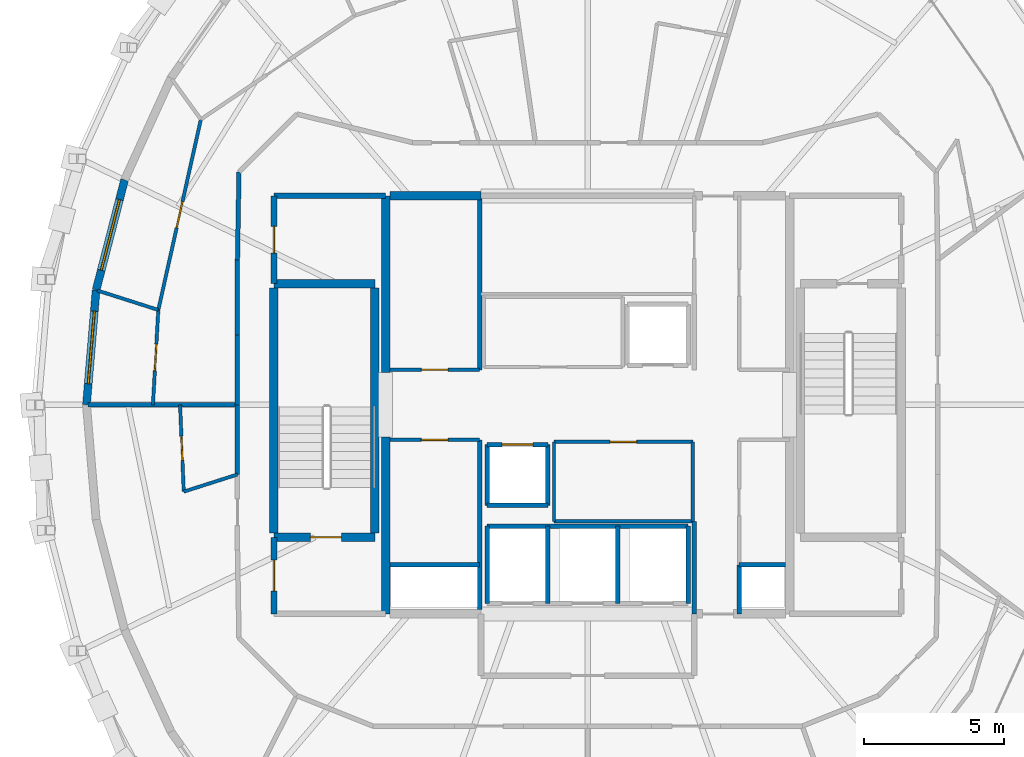
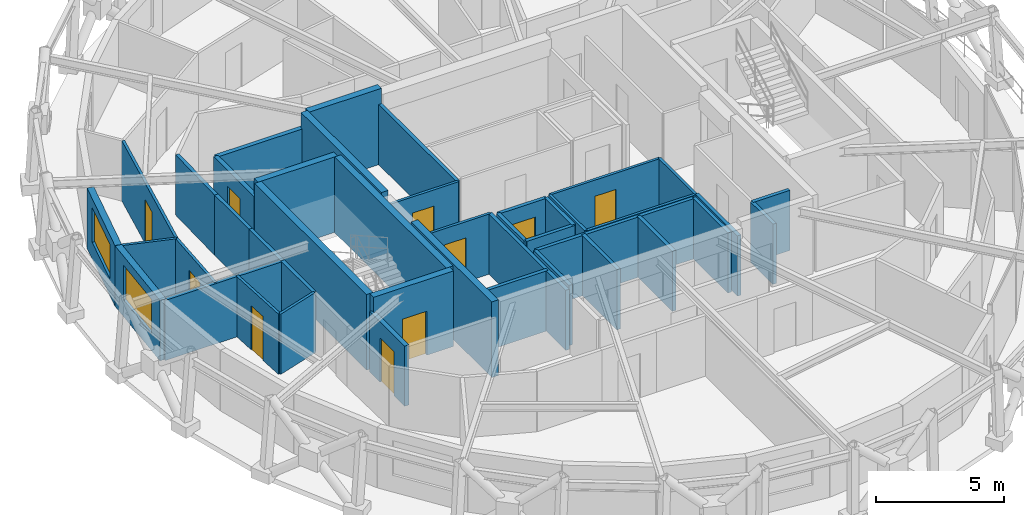
# One storey, part 12 of 15: 43 walls, 10 doors, 2 windows, 12 openings.
"""IFC4 building model written with IfcOpenShell, lengths in metres."""

from ifc_helpers import new_model, si_unit, direction, frame, frame_2d, origin, place, context, subcontext, project, spatial, rectangle, extrude, material, layer, layer_set, type_object, element, fill, save


model = new_model("IFC4")

# Units and contexts
model_context = context("Model", 3, precision=1e-05, world=origin(), true_north=direction((0.0, 1.0)))
body_context = subcontext(model_context, "Body", "Model", "MODEL_VIEW")
ifc_project = project(units=[si_unit("LENGTHUNIT", "METRE"), si_unit("AREAUNIT", "SQUARE_METRE"), si_unit("VOLUMEUNIT", "CUBIC_METRE"), si_unit("PLANEANGLEUNIT", "RADIAN"), si_unit("MASSUNIT", "GRAM", prefix="KILO")], contexts=[model_context])

# Site, building, storey
site_placement = place(None, origin())
site = spatial("IfcSite", under=ifc_project, at=site_placement, CompositionType="ELEMENT")
building_placement = place(site_placement, origin())
building = spatial("IfcBuilding", under=site, at=building_placement, Name="Veldorina Hangang Commons", CompositionType="ELEMENT")
storey_placement = place(building_placement, frame((0.0, 0.0, 290.39990234375)))
storey = spatial("IfcBuildingStorey", under=building, at=storey_placement, Name="L76", CompositionType="ELEMENT", Elevation=290.39990234375)

# Walls
ifc_material_1 = material(Name="Concrete C50/60", Category="concrete")
ifc_layer_1 = layer(ifc_material_1, 0.300048828125)
ifc_layer_set_1 = layer_set([ifc_layer_1], Name="Concrete C50/60")
wall_type_1 = type_object("IfcWallType", Name="CW-RC300-C50", PredefinedType="SHEAR", material=ifc_layer_set_1)
for number, where, z_axis, x_axis, name in (
    (1, (24.800048828125, 16.550048828125, 0.0), (0.0, 0.0, 1.0), (0.0, 1.0, 0.0), "L76 W south core shear wall"),
    (2, (24.800048828125, 25.14990234375, 0.0), (0.0, 0.0, 1.0), (0.0, 1.0, 0.0), "L76 W north core shear wall"),
):
    element("IfcWall", number, at=place(storey_placement, frame(where, z_axis=z_axis, x_axis=x_axis)), inside=storey, type_object=wall_type_1, Name=name, PredefinedType="SHEAR", context=body_context, shape_type="SweptSolid", body=[
        extrude(rectangle(XDim=6.300048828125, YDim=0.300048828125, at=frame_2d((3.14990234375, 0.0))), origin(), (0.0, 0.0, 1.0), 3.60009765625),
    ])
wall_1_placement = place(storey_placement, frame((24.949951171875, 31.449951171875, 0.0), z_axis=(0.0, 0.0, 1.0), x_axis=(1.0, 0.0, 0.0)))
element("IfcWall", 3, at=wall_1_placement, inside=storey, type_object=wall_type_1, Name="L76 north-west core shear wall", PredefinedType="SHEAR", context=body_context, shape_type="SweptSolid", body=[
    extrude(rectangle(XDim=3.25, YDim=0.300048828125, at=frame_2d((1.625, 0.0))), origin(), (0.0, 0.0, 1.0), 3.60009765625),
])

# Wall, opening, window
ifc_material_2 = material(Name="Stone Roman Travertine", Category="masonry")
ifc_layer_2 = layer(ifc_material_2, 0.280029296875)
ifc_layer_set_2 = layer_set([ifc_layer_2], Name="Stone Roman Travertine")
wall_type_2 = type_object("IfcWallType", Name="EW-TRAV-280", PredefinedType="STANDARD", material=ifc_layer_set_2)
wall_2_placement = place(storey_placement, frame((15.498291015625, 32.022705078125, 0.0), z_axis=(0.0, 0.0, 1.0), x_axis=(-0.250207014881, -0.968192361932, 0.0)))
wall_2 = element("IfcWall", 4, at=wall_2_placement, inside=storey, type_object=wall_type_2, Name="L76 travertine facade wall 14", PredefinedType="STANDARD", context=body_context, shape_type="SweptSolid", body=[
    extrude(rectangle(XDim=4.06201171875, YDim=0.280029296875, at=frame_2d((2.031005859375, 0.0))), origin(), (0.0, 0.0, 1.0), 2.880126953125),
])
opening_1_placement = place(wall_2_placement, frame((0.73095703125, 0.0, 0.800048828125)))
opening_1 = element("IfcOpeningElement", 5, at=opening_1_placement, cuts=wall_2, Name="Opening W-02", PredefinedType="OPENING", context=body_context, shape_type="SweptSolid", body=[
    extrude(rectangle(XDim=2.60009765625, YDim=1.64990234375, at=frame_2d((1.300048828125, 0.824951171875))), frame((0.0, 0.14990234375, 0.0), z_axis=(0.0, -1.0, 0.0), x_axis=(1.0, 0.0, 0.0)), (0.0, 0.0, 1.0), 0.300048828125),
])
ifc_material_3 = material(Name="Glass Low-E Triple IGU", Category="glass")
window_type = type_object("IfcWindowType", Name="WIN-TWR-2600", PartitioningType="SINGLE_PANEL", PredefinedType="WINDOW", material=ifc_material_3)
window_1_placement = place(opening_1_placement, origin())
window_1 = element("IfcWindow", 6, at=window_1_placement, inside=storey, type_object=window_type, Name="L76 facade window 14", OverallHeight=1.64990234375, OverallWidth=2.60009765625, PartitioningType="SINGLE_PANEL", PredefinedType="WINDOW", context=body_context, shape_type="SweptSolid", body=[
    extrude(rectangle(XDim=2.60009765625, YDim=1.64990234375, at=frame_2d((1.300048828125, 0.824951171875))), frame((0.0, 0.030029296875, 0.0), z_axis=(0.0, -1.0, 0.0), x_axis=(1.0, 0.0, 0.0)), (0.0, 0.0, 1.0), 0.06005859375),
])
fill(opening_1, window_1)

wall_3_placement = place(storey_placement, frame((14.48193359375, 28.08984375, 0.0), z_axis=(0.0, 0.0, 1.0), x_axis=(-0.083636215003, -0.996496354002, 0.0)))
wall_3 = element("IfcWall", 7, at=wall_3_placement, inside=storey, type_object=wall_type_2, Name="L76 travertine facade wall 15", PredefinedType="STANDARD", context=body_context, shape_type="SweptSolid", body=[
    extrude(rectangle(XDim=4.104248046875, YDim=0.280029296875, at=frame_2d((2.05224609375, 0.0))), origin(), (0.0, 0.0, 1.0), 2.880126953125),
])
opening_2_placement = place(wall_3_placement, frame((0.752197265625, 0.0, 0.800048828125)))
opening_2 = element("IfcOpeningElement", 8, at=opening_2_placement, cuts=wall_3, Name="Opening W-02", PredefinedType="OPENING", context=body_context, shape_type="SweptSolid", body=[
    extrude(rectangle(XDim=2.60009765625, YDim=1.64990234375, at=frame_2d((1.300048828125, 0.824951171875))), frame((0.0, 0.14990234375, 0.0), z_axis=(0.0, -1.0, 0.0), x_axis=(1.0, 0.0, 0.0)), (0.0, 0.0, 1.0), 0.300048828125),
])
window_2_placement = place(opening_2_placement, origin())
window_2 = element("IfcWindow", 9, at=window_2_placement, inside=storey, type_object=window_type, Name="L76 facade window 15", OverallHeight=1.64990234375, OverallWidth=2.60009765625, PartitioningType="SINGLE_PANEL", PredefinedType="WINDOW", context=body_context, shape_type="SweptSolid", body=[
    extrude(rectangle(XDim=2.60009765625, YDim=1.64990234375, at=frame_2d((1.300048828125, 0.824951171875))), frame((0.0, 0.030029296875, 0.0), z_axis=(0.0, -1.0, 0.0), x_axis=(1.0, 0.0, 0.0)), (0.0, 0.0, 1.0), 0.06005859375),
])
fill(opening_2, window_2)

# Walls
ifc_layer_3 = layer(ifc_material_1, 0.300048828125)
ifc_layer_set_3 = layer_set([ifc_layer_3], Name="Concrete C50/60")
wall_type_3 = type_object("IfcWallType", Name="SW-STAIR-300", PredefinedType="SHEAR", material=ifc_layer_set_3)
for number, where, z_axis, x_axis, name in (
    (10, (20.820068359375, 19.429931640625, 0.0), (0.0, 0.0, 1.0), (0.0, 1.0, 0.0), "L76 ST1 outer stair shear wall"),
    (11, (24.419921875, 19.429931640625, 0.0), (0.0, 0.0, 1.0), (0.0, 1.0, 0.0), "L76 ST1 inner stair shear wall"),
):
    element("IfcWall", number, at=place(storey_placement, frame(where, z_axis=z_axis, x_axis=x_axis)), inside=storey, type_object=wall_type_3, Name=name, PredefinedType="SHEAR", context=body_context, shape_type="SweptSolid", body=[
        extrude(rectangle(XDim=8.739990234375, YDim=0.300048828125, at=frame_2d((4.3701171875, 0.0))), origin(), (0.0, 0.0, 1.0), 3.60009765625),
    ])

# Wall, opening, door
wall_4_placement = place(storey_placement, frame((20.820068359375, 19.280029296875, 0.0), z_axis=(0.0, 0.0, 1.0), x_axis=(1.0, 0.0, 0.0)))
wall_4 = element("IfcWall", 12, at=wall_4_placement, inside=storey, type_object=wall_type_3, Name="L76 ST1 south stair shear wall", PredefinedType="SHEAR", context=body_context, shape_type="SweptSolid", body=[
    extrude(rectangle(XDim=3.599853515625, YDim=0.300048828125, at=frame_2d((1.7998046875, 0.0))), origin(), (0.0, 0.0, 1.0), 3.60009765625),
])
opening_3_placement = place(wall_4_placement, frame((1.300048828125, 0.0, 0.0)))
opening_3 = element("IfcOpeningElement", 13, at=opening_3_placement, cuts=wall_4, Name="Opening D-08", PredefinedType="OPENING", context=body_context, shape_type="SweptSolid", body=[
    extrude(rectangle(XDim=1.10009765625, YDim=2.10009765625, at=frame_2d((0.550048828125, 1.050048828125))), frame((0.0, 0.16015625, 0.0), z_axis=(0.0, -1.0, 0.0), x_axis=(1.0, 0.0, 0.0)), (0.0, 0.0, 1.0), 0.320068359375),
])
ifc_material_4 = material(Name="Steel Fire-Rated Smoke Seal", Category="steel")
door_type_1 = type_object("IfcDoorType", Name="DR-FIRE-1100", OperationType="SINGLE_SWING_RIGHT", PredefinedType="DOOR", material=ifc_material_4)
door_1_placement = place(opening_3_placement, origin())
door_1 = element("IfcDoor", 14, at=door_1_placement, inside=storey, type_object=door_type_1, Name="L76 Special Escape Stair ST-1 door", OperationType="SINGLE_SWING_LEFT", OverallHeight=2.10009765625, OverallWidth=1.10009765625, PredefinedType="DOOR", context=body_context, shape_type="SweptSolid", body=[
    extrude(rectangle(XDim=1.10009765625, YDim=2.10009765625, at=frame_2d((0.550048828125, 1.050048828125))), frame((0.0, 0.02490234375, 0.0), z_axis=(0.0, -1.0, 0.0), x_axis=(1.0, 0.0, 0.0)), (0.0, 0.0, 1.0), 0.050048828125),
])
fill(opening_3, door_1)

# Walls
wall_5_placement = place(storey_placement, frame((20.820068359375, 28.320068359375, 0.0), z_axis=(0.0, 0.0, 1.0), x_axis=(1.0, 0.0, 0.0)))
element("IfcWall", 15, at=wall_5_placement, inside=storey, type_object=wall_type_3, Name="L76 ST1 north stair shear wall", PredefinedType="SHEAR", context=body_context, shape_type="SweptSolid", body=[
    extrude(rectangle(XDim=3.599853515625, YDim=0.300048828125, at=frame_2d((1.7998046875, 0.0))), origin(), (0.0, 0.0, 1.0), 3.60009765625),
])
ifc_material_5 = material(Name="Gypsum Fire-Rated Twin Stud Wall", Category="gypsum")
ifc_layer_4 = layer(ifc_material_5, 0.159912109375)
ifc_layer_set_4 = layer_set([ifc_layer_4], Name="Gypsum Fire-Rated Twin Stud Wall")
wall_type_4 = type_object("IfcWallType", Name="WL-FIRE-160", PredefinedType="SOLIDWALL", material=ifc_layer_set_4)
wall_6_placement = place(storey_placement, frame((35.800048828125, 16.550048828125, 0.0), z_axis=(0.0, 0.0, 1.0), x_axis=(0.0, 1.0, 0.0)))
element("IfcWall", 16, at=wall_6_placement, inside=storey, type_object=wall_type_4, Name="L76 Lift passage SW wall 009", PredefinedType="SOLIDWALL", context=body_context, shape_type="SweptSolid", body=[
    extrude(rectangle(XDim=3.300048828125, YDim=0.159912109375, at=frame_2d((1.64990234375, 0.0))), origin(), (0.0, 0.0, 1.0), 2.8701171875),
])
wall_7_placement = place(storey_placement, frame((37.39990234375, 16.550048828125, 0.0), z_axis=(0.0, 0.0, 1.0), x_axis=(0.0, 1.0, 0.0)))
element("IfcWall", 17, at=wall_7_placement, inside=storey, type_object=wall_type_4, Name="L76 Lift passage SE stub 010", PredefinedType="SOLIDWALL", context=body_context, shape_type="SweptSolid", body=[
    extrude(rectangle(XDim=1.75, YDim=0.159912109375, at=frame_2d((0.875, 0.0))), origin(), (0.0, 0.0, 1.0), 2.8701171875),
])

# Wall, opening, door
wall_8_placement = place(storey_placement, frame((28.419921875, 22.580078125, 0.0), z_axis=(0.0, 0.0, 1.0), x_axis=(1.0, 0.0, 0.0)))
wall_8 = element("IfcWall", 18, at=wall_8_placement, inside=storey, type_object=wall_type_4, Name="L76 Shuttle-high front shaft wall 019", PredefinedType="SOLIDWALL", context=body_context, shape_type="SweptSolid", body=[
    extrude(rectangle(XDim=2.16015625, YDim=0.159912109375, at=frame_2d((1.080078125, 0.0))), origin(), (0.0, 0.0, 1.0), 2.8701171875),
])
opening_4_placement = place(wall_8_placement, frame((0.530029296875, 0.0, 0.0)))
opening_4 = element("IfcOpeningElement", 19, at=opening_4_placement, cuts=wall_8, Name="Opening LD-01", PredefinedType="OPENING", context=body_context, shape_type="SweptSolid", body=[
    extrude(rectangle(XDim=1.10009765625, YDim=2.14990234375, at=frame_2d((0.550048828125, 1.074951171875))), frame((0.0, 0.08984375, 0.0), z_axis=(0.0, -1.0, 0.0), x_axis=(1.0, 0.0, 0.0)), (0.0, 0.0, 1.0), 0.179931640625),
])
ifc_material_6 = material(Name="Stainless Steel Brushed Lift Door", Category="steel")
door_type_2 = type_object("IfcDoorType", Name="DR-LIFT-1100", OperationType="SLIDING_TO_LEFT", PredefinedType="DOOR", material=ifc_material_6)
door_2_placement = place(opening_4_placement, origin())
door_2 = element("IfcDoor", 20, at=door_2_placement, inside=storey, type_object=door_type_2, Name="L76 Lift PL-H2 landing door 007", OperationType="SLIDING_TO_LEFT", OverallHeight=2.14990234375, OverallWidth=1.10009765625, PredefinedType="DOOR", context=body_context, shape_type="SweptSolid", body=[
    extrude(rectangle(XDim=1.10009765625, YDim=2.14990234375, at=frame_2d((0.550048828125, 1.074951171875))), frame((0.0, 0.02490234375, 0.0), z_axis=(0.0, -1.0, 0.0), x_axis=(1.0, 0.0, 0.0)), (0.0, 0.0, 1.0), 0.050048828125),
])
fill(opening_4, door_2)

# Walls
for number, where, z_axis, x_axis, name in (
    (21, (28.419921875, 20.419921875, 0.0), (0.0, 0.0, 1.0), (1.0, 0.0, 0.0), "L76 Shuttle-high rear shaft wall 020"),
    (22, (28.419921875, 20.419921875, 0.0), (0.0, 0.0, 1.0), (0.0, 1.0, 0.0), "L76 PL-H2 west shaft wall 021"),
    (23, (30.580078125, 20.419921875, 0.0), (0.0, 0.0, 1.0), (0.0, 1.0, 0.0), "L76 PL-H2 east shaft wall 022"),
):
    element("IfcWall", number, at=place(storey_placement, frame(where, z_axis=z_axis, x_axis=x_axis)), inside=storey, type_object=wall_type_4, Name=name, PredefinedType="SOLIDWALL", context=body_context, shape_type="SweptSolid", body=[
        extrude(rectangle(XDim=2.16015625, YDim=0.159912109375, at=frame_2d((1.080078125, 0.0))), origin(), (0.0, 0.0, 1.0), 2.8701171875),
    ])
wall_9_placement = place(storey_placement, frame((28.419921875, 19.679931640625, 0.0), z_axis=(0.0, 0.0, 1.0), x_axis=(1.0, 0.0, 0.0)))
element("IfcWall", 24, at=wall_9_placement, inside=storey, type_object=wall_type_4, Name="L76 Emergency rear shaft wall 024", PredefinedType="SOLIDWALL", context=body_context, shape_type="SweptSolid", body=[
    extrude(rectangle(XDim=7.16015625, YDim=0.159912109375, at=frame_2d((3.580078125, 0.0))), origin(), (0.0, 0.0, 1.0), 2.8701171875),
])
for number, where, z_axis, x_axis, name in (
    (25, (28.419921875, 16.919921875, 0.0), (0.0, 0.0, 1.0), (0.0, 1.0, 0.0), "L76 FFL-1 west shaft wall 025"),
    (26, (30.580078125, 16.919921875, 0.0), (0.0, 0.0, 1.0), (0.0, 1.0, 0.0), "L76 FFL-1 east shaft wall 026"),
    (27, (33.080078125, 16.919921875, 0.0), (0.0, 0.0, 1.0), (0.0, 1.0, 0.0), "L76 FFL-2 east shaft wall 027"),
    (28, (35.580078125, 16.919921875, 0.0), (0.0, 0.0, 1.0), (0.0, 1.0, 0.0), "L76 EVL-1 east shaft wall 028"),
):
    element("IfcWall", number, at=place(storey_placement, frame(where, z_axis=z_axis, x_axis=x_axis)), inside=storey, type_object=wall_type_4, Name=name, PredefinedType="SOLIDWALL", context=body_context, shape_type="SweptSolid", body=[
        extrude(rectangle(XDim=2.760009765625, YDim=0.159912109375, at=frame_2d((1.3798828125, 0.0))), origin(), (0.0, 0.0, 1.0), 2.8701171875),
    ])
wall_10_placement = place(storey_placement, frame((24.949951171875, 18.300048828125, 0.0), z_axis=(0.0, 0.0, 1.0), x_axis=(1.0, 0.0, 0.0)))
element("IfcWall", 29, at=wall_10_placement, inside=storey, type_object=wall_type_4, Name="L76 Electrical riser wall 040", PredefinedType="SOLIDWALL", context=body_context, shape_type="SweptSolid", body=[
    extrude(rectangle(XDim=3.199951171875, YDim=0.159912109375, at=frame_2d((1.60009765625, 0.0))), origin(), (0.0, 0.0, 1.0), 2.8701171875),
])
wall_11_placement = place(storey_placement, frame((28.14990234375, 16.699951171875, 0.0), z_axis=(0.0, 0.0, 1.0), x_axis=(0.0, 1.0, 0.0)))
element("IfcWall", 30, at=wall_11_placement, inside=storey, type_object=wall_type_4, Name="L76 SW core inner wall 041", PredefinedType="SOLIDWALL", context=body_context, shape_type="SweptSolid", body=[
    extrude(rectangle(XDim=6.050048828125, YDim=0.159912109375, at=frame_2d((3.02490234375, 0.0))), origin(), (0.0, 0.0, 1.0), 2.8701171875),
])
wall_12_placement = place(storey_placement, frame((37.39990234375, 18.300048828125, 0.0), z_axis=(0.0, 0.0, 1.0), x_axis=(1.0, 0.0, 0.0)))
element("IfcWall", 31, at=wall_12_placement, inside=storey, type_object=wall_type_4, Name="L76 Plumbing riser wall 042", PredefinedType="SOLIDWALL", context=body_context, shape_type="SweptSolid", body=[
    extrude(rectangle(XDim=1.650146484375, YDim=0.159912109375, at=frame_2d((0.8251953125, 0.0))), origin(), (0.0, 0.0, 1.0), 2.8701171875),
])
wall_13_placement = place(storey_placement, frame((28.14990234375, 25.25, 0.0), z_axis=(0.0, 0.0, 1.0), x_axis=(0.0, 1.0, 0.0)))
element("IfcWall", 32, at=wall_13_placement, inside=storey, type_object=wall_type_4, Name="L76 NW core inner wall 043", PredefinedType="SOLIDWALL", context=body_context, shape_type="SweptSolid", body=[
    extrude(rectangle(XDim=6.10009765625, YDim=0.159912109375, at=frame_2d((3.050048828125, 0.0))), origin(), (0.0, 0.0, 1.0), 2.8701171875),
])
wall_14_placement = place(storey_placement, frame((19.5732421875, 32.30322265625, 0.0), z_axis=(0.0, 0.0, 1.0), x_axis=(-0.016981035134, -0.999855811828, 0.0)))
element("IfcWall", 33, at=wall_14_placement, inside=storey, type_object=wall_type_4, Name="L76 Compact collar outer wall 13 063", PredefinedType="SOLIDWALL", context=body_context, shape_type="SweptSolid", body=[
    extrude(rectangle(XDim=3.13427734375, YDim=0.159912109375, at=frame_2d((1.567138671875, 0.0))), origin(), (0.0, 0.0, 1.0), 2.8701171875),
])
wall_15_placement = place(storey_placement, frame((19.52001953125, 29.16943359375, 0.0), z_axis=(0.0, 0.0, 1.0), x_axis=(0.0, -1.0, 0.0)))
element("IfcWall", 34, at=wall_15_placement, inside=storey, type_object=wall_type_4, Name="L76 Compact collar outer wall 14 064", PredefinedType="SOLIDWALL", context=body_context, shape_type="SweptSolid", body=[
    extrude(rectangle(XDim=2.68701171875, YDim=0.159912109375, at=frame_2d((1.343505859375, 0.0))), origin(), (0.0, 0.0, 1.0), 2.8701171875),
])
for number, where, z_axis, x_axis, name in (
    (35, (19.52001953125, 26.482421875, 0.0), (0.0, 0.0, 1.0), (0.0, -1.0, 0.0), "L76 Compact collar outer wall 15 065"),
    (36, (19.52001953125, 24.0, 0.0), (0.0, 0.0, 1.0), (0.0, -1.0, 0.0), "L76 Compact collar outer wall 16 066"),
):
    element("IfcWall", number, at=place(storey_placement, frame(where, z_axis=z_axis, x_axis=x_axis)), inside=storey, type_object=wall_type_4, Name=name, PredefinedType="SOLIDWALL", context=body_context, shape_type="SweptSolid", body=[
        extrude(rectangle(XDim=2.482421875, YDim=0.159912109375, at=frame_2d((1.2412109375, 0.0))), origin(), (0.0, 0.0, 1.0), 2.8701171875),
    ])
wall_16_placement = place(storey_placement, frame((19.52001953125, 24.0, 0.0), z_axis=(0.0, 0.0, 1.0), x_axis=(-1.0, 0.0, 0.0)))
element("IfcWall", 37, at=wall_16_placement, inside=storey, type_object=wall_type_4, Name="L76 Unit party wall 16 099", PredefinedType="SOLIDWALL", context=body_context, shape_type="SweptSolid", body=[
    extrude(rectangle(XDim=5.331298828125, YDim=0.159912109375, at=frame_2d((2.66552734375, 0.0))), origin(), (0.0, 0.0, 1.0), 2.8701171875),
])

# Wall, opening, door
ifc_material_7 = material(Name="Concrete Blockwork Fire Wall C30/37", Category="masonry")
ifc_layer_5 = layer(ifc_material_7, 0.199951171875)
ifc_layer_set_5 = layer_set([ifc_layer_5], Name="Concrete Blockwork Fire Wall C30/37")
wall_type_5 = type_object("IfcWallType", Name="WL-FIRE-200", PredefinedType="SOLIDWALL", material=ifc_layer_set_5)
wall_17_placement = place(storey_placement, frame((20.820068359375, 16.550048828125, 0.0), z_axis=(0.0, 0.0, 1.0), x_axis=(0.0, 1.0, 0.0)))
wall_17 = element("IfcWall", 38, at=wall_17_placement, inside=storey, type_object=wall_type_5, Name="L76 West vestibule outer wall 001", PredefinedType="SOLIDWALL", context=body_context, shape_type="SweptSolid", body=[
    extrude(rectangle(XDim=2.72998046875, YDim=0.199951171875, at=frame_2d((1.364990234375, 0.0))), origin(), (0.0, 0.0, 1.0), 2.8701171875),
])
opening_5_placement = place(wall_17_placement, frame((0.81494140625, 0.0, 0.0)))
opening_5 = element("IfcOpeningElement", 39, at=opening_5_placement, cuts=wall_17, Name="Opening D-08", PredefinedType="OPENING", context=body_context, shape_type="SweptSolid", body=[
    extrude(rectangle(XDim=1.10009765625, YDim=2.10009765625, at=frame_2d((0.550048828125, 1.050048828125))), frame((0.0, 0.10986328125, 0.0), z_axis=(0.0, -1.0, 0.0), x_axis=(1.0, 0.0, 0.0)), (0.0, 0.0, 1.0), 0.219970703125),
])
door_3_placement = place(opening_5_placement, origin())
door_3 = element("IfcDoor", 40, at=door_3_placement, inside=storey, type_object=door_type_1, Name="L76 West vestibule west door 001", OperationType="SINGLE_SWING_LEFT", OverallHeight=2.10009765625, OverallWidth=1.10009765625, PredefinedType="DOOR", context=body_context, shape_type="SweptSolid", body=[
    extrude(rectangle(XDim=1.10009765625, YDim=2.10009765625, at=frame_2d((0.550048828125, 1.050048828125))), frame((0.0, 0.02490234375, 0.0), z_axis=(0.0, -1.0, 0.0), x_axis=(1.0, 0.0, 0.0)), (0.0, 0.0, 1.0), 0.050048828125),
])
fill(opening_5, door_3)

wall_18_placement = place(storey_placement, frame((20.820068359375, 28.320068359375, 0.0), z_axis=(0.0, 0.0, 1.0), x_axis=(0.0, 1.0, 0.0)))
wall_18 = element("IfcWall", 41, at=wall_18_placement, inside=storey, type_object=wall_type_5, Name="L76 NW core room outer wall 005", PredefinedType="SOLIDWALL", context=body_context, shape_type="SweptSolid", body=[
    extrude(rectangle(XDim=3.1298828125, YDim=0.199951171875, at=frame_2d((1.56494140625, 0.0))), origin(), (0.0, 0.0, 1.0), 2.8701171875),
])
opening_6_placement = place(wall_18_placement, frame((1.090087890625, 0.0, 0.0)))
opening_6 = element("IfcOpeningElement", 42, at=opening_6_placement, cuts=wall_18, Name="Opening D-04", PredefinedType="OPENING", context=body_context, shape_type="SweptSolid", body=[
    extrude(rectangle(XDim=0.949951171875, YDim=2.10009765625, at=frame_2d((0.47509765625, 1.050048828125))), frame((0.0, 0.10986328125, 0.0), z_axis=(0.0, -1.0, 0.0), x_axis=(1.0, 0.0, 0.0)), (0.0, 0.0, 1.0), 0.219970703125),
])
ifc_material_8 = material(Name="Timber Accessible Flush Leaf", Category="wood")
door_type_3 = type_object("IfcDoorType", Name="DR-ACC-950", OperationType="SINGLE_SWING_LEFT", PredefinedType="DOOR", material=ifc_material_8)
door_4_placement = place(opening_6_placement, origin())
door_4 = element("IfcDoor", 43, at=door_4_placement, inside=storey, type_object=door_type_3, Name="L76 NW core WC door 003", OperationType="SINGLE_SWING_LEFT", OverallHeight=2.10009765625, OverallWidth=0.949951171875, PredefinedType="DOOR", context=body_context, shape_type="SweptSolid", body=[
    extrude(rectangle(XDim=0.949951171875, YDim=2.10009765625, at=frame_2d((0.47509765625, 1.050048828125))), frame((0.0, 0.02490234375, 0.0), z_axis=(0.0, -1.0, 0.0), x_axis=(1.0, 0.0, 0.0)), (0.0, 0.0, 1.0), 0.050048828125),
])
fill(opening_6, door_4)

# Wall
wall_19_placement = place(storey_placement, frame((20.820068359375, 31.449951171875, 0.0), z_axis=(0.0, 0.0, 1.0), x_axis=(1.0, 0.0, 0.0)))
element("IfcWall", 44, at=wall_19_placement, inside=storey, type_object=wall_type_5, Name="L76 NW core room north wall 006", PredefinedType="SOLIDWALL", context=body_context, shape_type="SweptSolid", body=[
    extrude(rectangle(XDim=3.97998046875, YDim=0.199951171875, at=frame_2d((1.989990234375, 0.0))), origin(), (0.0, 0.0, 1.0), 2.8701171875),
])

# Wall, opening, door
ifc_material_9 = material(Name="Gypsum Acoustic Stud Partition", Category="gypsum")
ifc_layer_6 = layer(ifc_material_9, 0.1201171875)
ifc_layer_set_6 = layer_set([ifc_layer_6], Name="Gypsum Acoustic Stud Partition")
wall_type_6 = type_object("IfcWallType", Name="WL-PART-120", PredefinedType="PARTITIONING", material=ifc_layer_set_6)
wall_20_placement = place(storey_placement, frame((30.800048828125, 22.679931640625, 0.0), z_axis=(0.0, 0.0, 1.0), x_axis=(1.0, 0.0, 0.0)))
wall_20 = element("IfcWall", 45, at=wall_20_placement, inside=storey, type_object=wall_type_6, Name="L76 Merged shuttle north wall 036", PredefinedType="PARTITIONING", context=body_context, shape_type="SweptSolid", body=[
    extrude(rectangle(XDim=4.949951171875, YDim=0.1201171875, at=frame_2d((2.47509765625, 0.0))), origin(), (0.0, 0.0, 1.0), 2.8701171875),
])
opening_7_placement = place(wall_20_placement, frame((2.0, 0.0, 0.0)))
opening_7 = element("IfcOpeningElement", 46, at=opening_7_placement, cuts=wall_20, Name="Opening D-02", PredefinedType="OPENING", context=body_context, shape_type="SweptSolid", body=[
    extrude(rectangle(XDim=0.949951171875, YDim=2.10009765625, at=frame_2d((0.47509765625, 1.050048828125))), frame((0.0, 0.070068359375, 0.0), z_axis=(0.0, -1.0, 0.0), x_axis=(1.0, 0.0, 0.0)), (0.0, 0.0, 1.0), 0.14013671875),
])
ifc_material_10 = material(Name="Timber Solid Core Acoustic", Category="wood")
door_type_4 = type_object("IfcDoorType", Name="DR-INT-950", OperationType="SINGLE_SWING_LEFT", PredefinedType="DOOR", material=ifc_material_10)
door_5_placement = place(opening_7_placement, origin())
door_5 = element("IfcDoor", 47, at=door_5_placement, inside=storey, type_object=door_type_4, Name="L76 Floor tea pantry door 013", OperationType="SINGLE_SWING_LEFT", OverallHeight=2.10009765625, OverallWidth=0.949951171875, PredefinedType="DOOR", context=body_context, shape_type="SweptSolid", body=[
    extrude(rectangle(XDim=0.949951171875, YDim=2.10009765625, at=frame_2d((0.47509765625, 1.050048828125))), frame((0.0, 0.02490234375, 0.0), z_axis=(0.0, -1.0, 0.0), x_axis=(1.0, 0.0, 0.0)), (0.0, 0.0, 1.0), 0.050048828125),
])
fill(opening_7, door_5)

# Walls
wall_21_placement = place(storey_placement, frame((30.800048828125, 19.85009765625, 0.0), z_axis=(0.0, 0.0, 1.0), x_axis=(1.0, 0.0, 0.0)))
element("IfcWall", 48, at=wall_21_placement, inside=storey, type_object=wall_type_6, Name="L76 Merged shuttle south wall 037", PredefinedType="PARTITIONING", context=body_context, shape_type="SweptSolid", body=[
    extrude(rectangle(XDim=4.949951171875, YDim=0.1201171875, at=frame_2d((2.47509765625, 0.0))), origin(), (0.0, 0.0, 1.0), 2.8701171875),
])
for number, where, z_axis, x_axis, name in (
    (49, (30.800048828125, 19.85009765625, 0.0), (0.0, 0.0, 1.0), (0.0, 1.0, 0.0), "L76 Merged shuttle west wall 038"),
    (50, (35.75, 19.85009765625, 0.0), (0.0, 0.0, 1.0), (0.0, 1.0, 0.0), "L76 Merged shuttle east wall 039"),
):
    element("IfcWall", number, at=place(storey_placement, frame(where, z_axis=z_axis, x_axis=x_axis)), inside=storey, type_object=wall_type_6, Name=name, PredefinedType="PARTITIONING", context=body_context, shape_type="SweptSolid", body=[
        extrude(rectangle(XDim=2.829833984375, YDim=0.1201171875, at=frame_2d((1.4150390625, 0.0))), origin(), (0.0, 0.0, 1.0), 2.8701171875),
    ])

# Wall, opening, door
wall_22_placement = place(storey_placement, frame((24.949951171875, 25.25, 0.0), z_axis=(0.0, 0.0, 1.0), x_axis=(1.0, 0.0, 0.0)))
wall_22 = element("IfcWall", 51, at=wall_22_placement, inside=storey, type_object=wall_type_6, Name="L76 NW service south wall 044", PredefinedType="PARTITIONING", context=body_context, shape_type="SweptSolid", body=[
    extrude(rectangle(XDim=3.199951171875, YDim=0.1201171875, at=frame_2d((1.60009765625, 0.0))), origin(), (0.0, 0.0, 1.0), 2.8701171875),
])
opening_8_placement = place(wall_22_placement, frame((1.125, 0.0, 0.0)))
opening_8 = element("IfcOpeningElement", 52, at=opening_8_placement, cuts=wall_22, Name="Opening D-02", PredefinedType="OPENING", context=body_context, shape_type="SweptSolid", body=[
    extrude(rectangle(XDim=0.949951171875, YDim=2.10009765625, at=frame_2d((0.47509765625, 1.050048828125))), frame((0.0, 0.070068359375, 0.0), z_axis=(0.0, -1.0, 0.0), x_axis=(1.0, 0.0, 0.0)), (0.0, 0.0, 1.0), 0.14013671875),
])
door_6_placement = place(opening_8_placement, origin())
door_6 = element("IfcDoor", 53, at=door_6_placement, inside=storey, type_object=door_type_4, Name="L76 Housekeeping store door 014", OperationType="SINGLE_SWING_RIGHT", OverallHeight=2.10009765625, OverallWidth=0.949951171875, PredefinedType="DOOR", context=body_context, shape_type="SweptSolid", body=[
    extrude(rectangle(XDim=0.949951171875, YDim=2.10009765625, at=frame_2d((0.47509765625, 1.050048828125))), frame((0.0, 0.02490234375, 0.0), z_axis=(0.0, -1.0, 0.0), x_axis=(1.0, 0.0, 0.0)), (0.0, 0.0, 1.0), 0.050048828125),
])
fill(opening_8, door_6)

wall_23_placement = place(storey_placement, frame((24.949951171875, 22.75, 0.0), z_axis=(0.0, 0.0, 1.0), x_axis=(1.0, 0.0, 0.0)))
wall_23 = element("IfcWall", 54, at=wall_23_placement, inside=storey, type_object=wall_type_6, Name="L76 SW service north wall 045", PredefinedType="PARTITIONING", context=body_context, shape_type="SweptSolid", body=[
    extrude(rectangle(XDim=3.199951171875, YDim=0.1201171875, at=frame_2d((1.60009765625, 0.0))), origin(), (0.0, 0.0, 1.0), 2.8701171875),
])
opening_9_placement = place(wall_23_placement, frame((1.125, 0.0, 0.0)))
opening_9 = element("IfcOpeningElement", 55, at=opening_9_placement, cuts=wall_23, Name="Opening D-02", PredefinedType="OPENING", context=body_context, shape_type="SweptSolid", body=[
    extrude(rectangle(XDim=0.949951171875, YDim=2.10009765625, at=frame_2d((0.47509765625, 1.050048828125))), frame((0.0, 0.070068359375, 0.0), z_axis=(0.0, -1.0, 0.0), x_axis=(1.0, 0.0, 0.0)), (0.0, 0.0, 1.0), 0.14013671875),
])
door_7_placement = place(opening_9_placement, origin())
door_7 = element("IfcDoor", 56, at=door_7_placement, inside=storey, type_object=door_type_4, Name="L76 Refuse hold door 015", OperationType="SINGLE_SWING_LEFT", OverallHeight=2.10009765625, OverallWidth=0.949951171875, PredefinedType="DOOR", context=body_context, shape_type="SweptSolid", body=[
    extrude(rectangle(XDim=0.949951171875, YDim=2.10009765625, at=frame_2d((0.47509765625, 1.050048828125))), frame((0.0, 0.02490234375, 0.0), z_axis=(0.0, -1.0, 0.0), x_axis=(1.0, 0.0, 0.0)), (0.0, 0.0, 1.0), 0.050048828125),
])
fill(opening_9, door_7)

wall_24_placement = place(storey_placement, frame((18.215576171875, 34.17578125, 0.0), z_axis=(0.0, 0.0, 1.0), x_axis=(-0.217921941181, -0.975966202054, 0.0)))
wall_24 = element("IfcWall", 57, at=wall_24_placement, inside=storey, type_object=wall_type_6, Name="L76 Cluster 4 bed 3 front wall 095", PredefinedType="PARTITIONING", context=body_context, shape_type="SweptSolid", body=[
    extrude(rectangle(XDim=6.96044921875, YDim=0.1201171875, at=frame_2d((3.480224609375, 0.0))), origin(), (0.0, 0.0, 1.0), 2.8701171875),
])
opening_10_placement = place(wall_24_placement, frame((3.005126953125, 0.0, 0.0)))
opening_10 = element("IfcOpeningElement", 58, at=opening_10_placement, cuts=wall_24, Name="Opening D-02", PredefinedType="OPENING", context=body_context, shape_type="SweptSolid", body=[
    extrude(rectangle(XDim=0.949951171875, YDim=2.10009765625, at=frame_2d((0.47509765625, 1.050048828125))), frame((0.0, 0.070068359375, 0.0), z_axis=(0.0, -1.0, 0.0), x_axis=(1.0, 0.0, 0.0)), (0.0, 0.0, 1.0), 0.14013671875),
])
door_8_placement = place(opening_10_placement, origin())
door_8 = element("IfcDoor", 59, at=door_8_placement, inside=storey, type_object=door_type_4, Name="L76 Cluster 4 bed 3 door 027", OperationType="SINGLE_SWING_LEFT", OverallHeight=2.10009765625, OverallWidth=0.949951171875, PredefinedType="DOOR", context=body_context, shape_type="SweptSolid", body=[
    extrude(rectangle(XDim=0.949951171875, YDim=2.10009765625, at=frame_2d((0.47509765625, 1.050048828125))), frame((0.0, 0.02490234375, 0.0), z_axis=(0.0, -1.0, 0.0), x_axis=(1.0, 0.0, 0.0)), (0.0, 0.0, 1.0), 0.050048828125),
])
fill(opening_10, door_8)

wall_25_placement = place(storey_placement, frame((16.69873046875, 27.382568359375, 0.0), z_axis=(0.0, 0.0, 1.0), x_axis=(-0.056711181709, -0.998390625892, 0.0)))
wall_25 = element("IfcWall", 60, at=wall_25_placement, inside=storey, type_object=wall_type_6, Name="L76 Cluster 4 bed 4 front wall 097", PredefinedType="PARTITIONING", context=body_context, shape_type="SweptSolid", body=[
    extrude(rectangle(XDim=3.387939453125, YDim=0.1201171875, at=frame_2d((1.69384765625, 0.0))), origin(), (0.0, 0.0, 1.0), 2.8701171875),
])
opening_11_placement = place(wall_25_placement, frame((1.218994140625, 0.0, 0.0)))
opening_11 = element("IfcOpeningElement", 61, at=opening_11_placement, cuts=wall_25, Name="Opening D-02", PredefinedType="OPENING", context=body_context, shape_type="SweptSolid", body=[
    extrude(rectangle(XDim=0.949951171875, YDim=2.10009765625, at=frame_2d((0.47509765625, 1.050048828125))), frame((0.0, 0.070068359375, 0.0), z_axis=(0.0, -1.0, 0.0), x_axis=(1.0, 0.0, 0.0)), (0.0, 0.0, 1.0), 0.14013671875),
])
door_9_placement = place(opening_11_placement, origin())
door_9 = element("IfcDoor", 62, at=door_9_placement, inside=storey, type_object=door_type_4, Name="L76 Cluster 4 bed 4 door 028", OperationType="SINGLE_SWING_RIGHT", OverallHeight=2.10009765625, OverallWidth=0.949951171875, PredefinedType="DOOR", context=body_context, shape_type="SweptSolid", body=[
    extrude(rectangle(XDim=0.949951171875, YDim=2.10009765625, at=frame_2d((0.47509765625, 1.050048828125))), frame((0.0, 0.02490234375, 0.0), z_axis=(0.0, -1.0, 0.0), x_axis=(1.0, 0.0, 0.0)), (0.0, 0.0, 1.0), 0.050048828125),
])
fill(opening_11, door_9)

# Wall
wall_26_placement = place(storey_placement, frame((16.69873046875, 27.382568359375, 0.0), z_axis=(0.0, 0.0, 1.0), x_axis=(-0.952679032729, 0.303978059402, 0.0)))
element("IfcWall", 63, at=wall_26_placement, inside=storey, type_object=wall_type_6, Name="L76 Cluster 4 bed divider 3 098", PredefinedType="PARTITIONING", context=body_context, shape_type="SweptSolid", body=[
    extrude(rectangle(XDim=2.27685546875, YDim=0.1201171875, at=frame_2d((1.138427734375, 0.0))), origin(), (0.0, 0.0, 1.0), 2.8701171875),
])

# Wall, opening, door
wall_27_placement = place(storey_placement, frame((17.47509765625, 24.0, 0.0), z_axis=(0.0, 0.0, 1.0), x_axis=(0.042109419469, -0.999113005016, 0.0)))
wall_27 = element("IfcWall", 64, at=wall_27_placement, inside=storey, type_object=wall_type_6, Name="L76 Studio 5 bath front wall 100", PredefinedType="PARTITIONING", context=body_context, shape_type="SweptSolid", body=[
    extrude(rectangle(XDim=3.095947265625, YDim=0.1201171875, at=frame_2d((1.5478515625, 0.0))), origin(), (0.0, 0.0, 1.0), 2.8701171875),
])
opening_12_placement = place(wall_27_placement, frame((1.117919921875, 0.0, 0.0)))
opening_12 = element("IfcOpeningElement", 65, at=opening_12_placement, cuts=wall_27, Name="Opening D-01", PredefinedType="OPENING", context=body_context, shape_type="SweptSolid", body=[
    extrude(rectangle(XDim=0.860107421875, YDim=2.10009765625, at=frame_2d((0.43017578125, 1.050048828125))), frame((0.0, 0.070068359375, 0.0), z_axis=(0.0, -1.0, 0.0), x_axis=(1.0, 0.0, 0.0)), (0.0, 0.0, 1.0), 0.14013671875),
])
ifc_material_11 = material(Name="Timber Moisture-Resistant Core", Category="wood")
door_type_5 = type_object("IfcDoorType", Name="DR-WET-860", OperationType="SINGLE_SWING_LEFT", PredefinedType="DOOR", material=ifc_material_11)
door_10_placement = place(opening_12_placement, origin())
door_10 = element("IfcDoor", 66, at=door_10_placement, inside=storey, type_object=door_type_5, Name="L76 Studio 5 bathroom door 029", OperationType="SINGLE_SWING_LEFT", OverallHeight=2.10009765625, OverallWidth=0.860107421875, PredefinedType="DOOR", context=body_context, shape_type="SweptSolid", body=[
    extrude(rectangle(XDim=0.860107421875, YDim=2.10009765625, at=frame_2d((0.43017578125, 1.050048828125))), frame((0.0, 0.02490234375, 0.0), z_axis=(0.0, -1.0, 0.0), x_axis=(1.0, 0.0, 0.0)), (0.0, 0.0, 1.0), 0.050048828125),
])
fill(opening_12, door_10)

# Wall
wall_28_placement = place(storey_placement, frame((19.52001953125, 21.517578125, 0.0), z_axis=(0.0, 0.0, 1.0), x_axis=(-0.952686159799, -0.303955721986, 0.0)))
element("IfcWall", 67, at=wall_28_placement, inside=storey, type_object=wall_type_6, Name="L76 Studio 5 bath side wall 101", PredefinedType="PARTITIONING", context=body_context, shape_type="SweptSolid", body=[
    extrude(rectangle(XDim=2.009521484375, YDim=0.1201171875, at=frame_2d((1.0048828125, 0.0))), origin(), (0.0, 0.0, 1.0), 2.8701171875),
])

save(model, "model.ifc")
